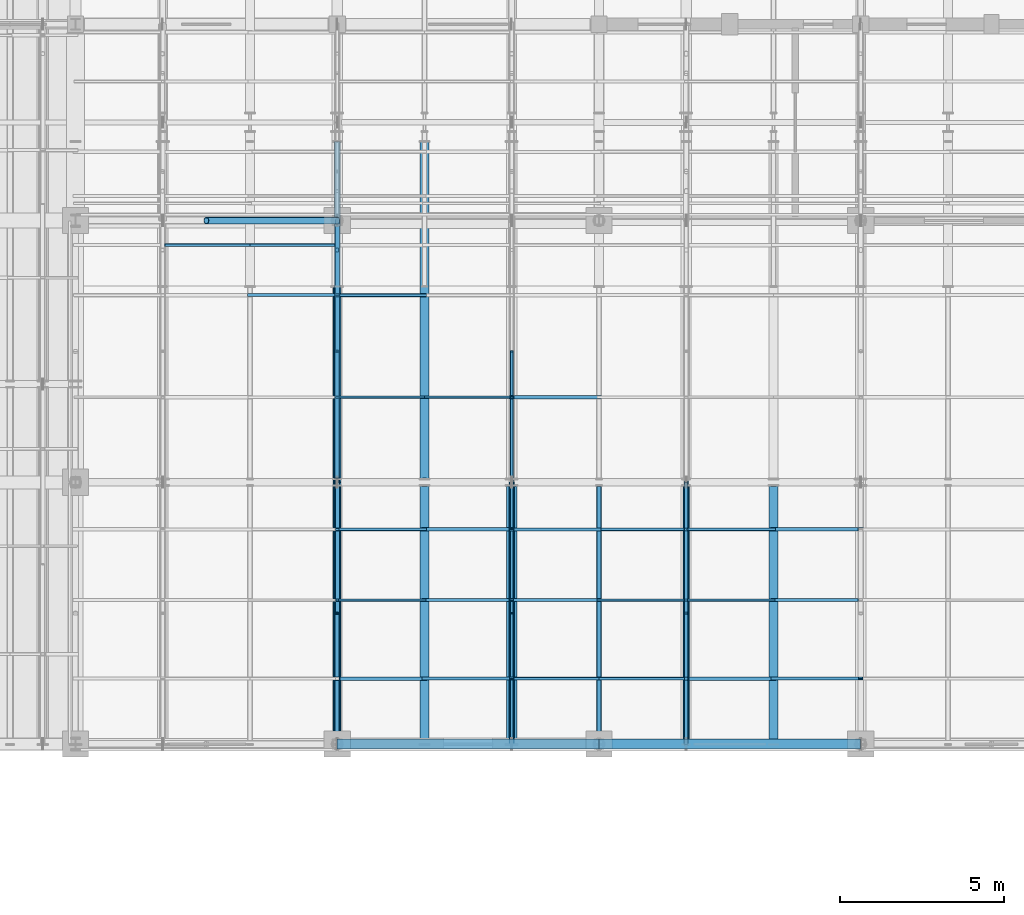
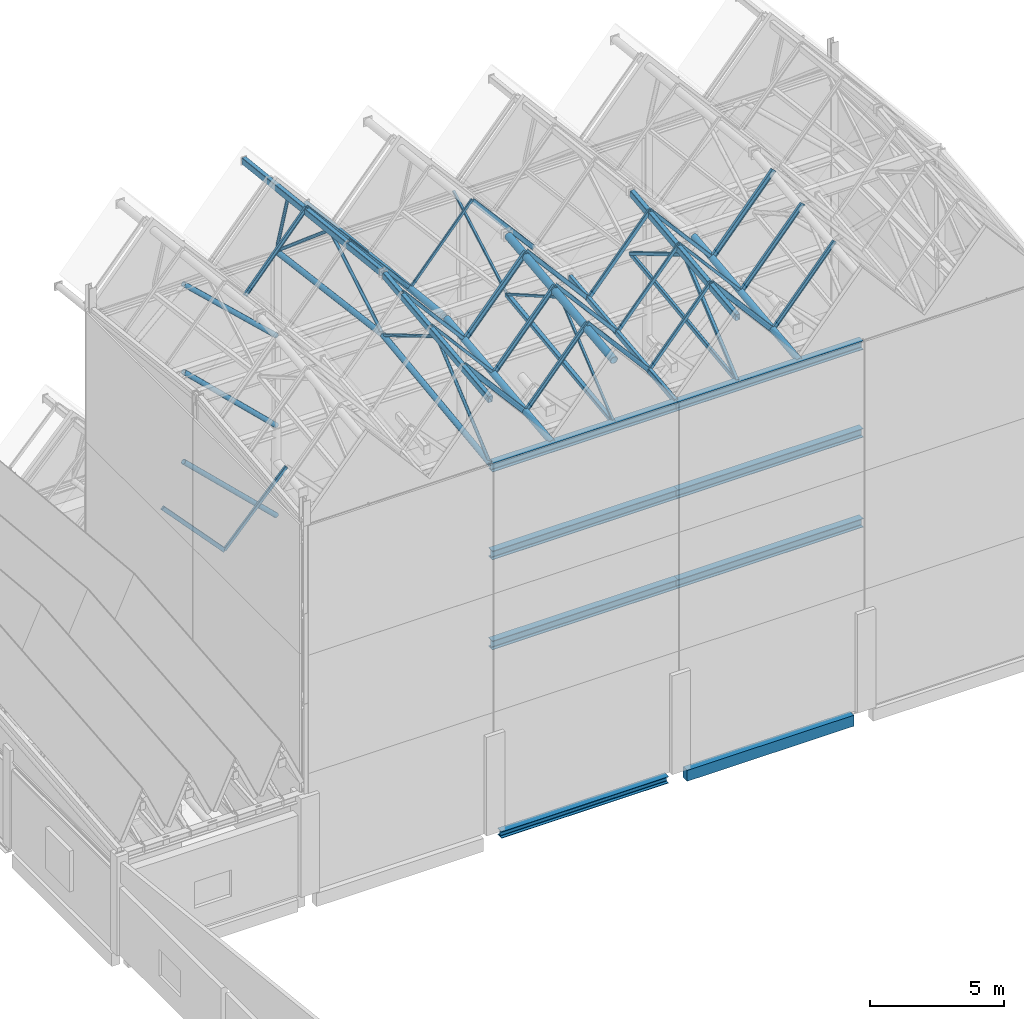
# One storey, part 10 of 48: 42 members, 16 beams.
"""IFC4 building model written with IfcOpenShell, lengths in metres."""

from ifc_helpers import new_model, si_unit, direction, frame, origin, origin_2d, place, context, subcontext, project, spatial, rectangle, hollow_rectangle, hollow_circle, i_section, extrude, material, material_profile, profile_set, type_object, element, save


model = new_model("IFC4")

# Units and contexts
model_context = context("Model", 3, precision=1e-05, world=origin(), true_north=direction((0.0, 1.0)))
body_context = subcontext(model_context, "Body", "Model", "MODEL_VIEW")
ifc_project = project(units=[si_unit("LENGTHUNIT", "METRE"), si_unit("AREAUNIT", "SQUARE_METRE"), si_unit("VOLUMEUNIT", "CUBIC_METRE"), si_unit("PLANEANGLEUNIT", "RADIAN"), si_unit("MASSUNIT", "GRAM", prefix="KILO")], contexts=[model_context])

# Site, building, storey
site_placement = place(None, origin())
site = spatial("IfcSite", under=ifc_project, at=site_placement, CompositionType="ELEMENT")
building_placement = place(site_placement, origin())
building = spatial("IfcBuilding", under=site, at=building_placement, Name="Luwemba Playhouse", CompositionType="ELEMENT")
storey_placement = place(building_placement, frame((0.0, 0.0, 13.800048828125)))
storey = spatial("IfcBuildingStorey", under=building, at=storey_placement, Name="L03", CompositionType="ELEMENT", Elevation=13.800048828125)

# Beams
ifc_material_1 = material(Name="Steel S355", Category="steel")
ifc_material_profile_1 = material_profile(ifc_material_1, hollow_rectangle(XDim=0.14990234375, YDim=0.25, WallThickness=0.010009765625, InnerFilletRadius=0.014892578125, OuterFilletRadius=0.02490234375, at=origin_2d()))
ifc_profile_set_1 = profile_set([ifc_material_profile_1], Name="Steel S355")
beam_type_1 = type_object("IfcBeamType", Name="BM-RTG1", PredefinedType="USERDEFINED", material=ifc_profile_set_1)
beam_1_placement = place(storey_placement, frame((28.0, 68.0, 16.637939453125), z_axis=(0.0, 0.993767688729, 0.111470986529), x_axis=(-1.0, 0.0, 0.0)))
element("IfcBeam", 1, at=beam_1_placement, inside=storey, type_object=beam_type_1, Name="ROOF TRUSS valley girder 0067", ObjectType="ROOF TRUSS", PredefinedType="USERDEFINED", context=body_context, shape_type="SweptSolid", body=[
    extrude(hollow_rectangle(XDim=0.14990234375, YDim=0.25, WallThickness=0.010009765625, InnerFilletRadius=0.014892578125, OuterFilletRadius=0.02490234375, at=origin_2d()), origin(), (0.0, 0.0, 1.0), 7.939453125),
])
ifc_material_profile_2 = material_profile(ifc_material_1, hollow_rectangle(XDim=0.199951171875, YDim=0.300048828125, WallThickness=0.012451171875, InnerFilletRadius=0.018798828125, OuterFilletRadius=0.03125, at=origin_2d()))
ifc_profile_set_2 = profile_set([ifc_material_profile_2], Name="Steel S355")
beam_type_2 = type_object("IfcBeamType", Name="BM-RTG2", PredefinedType="USERDEFINED", material=ifc_profile_set_2)
beam_2_placement = place(storey_placement, frame((20.0, 68.0, 19.54296875), z_axis=(0.0, 0.993771094715, 0.111440617856), x_axis=(-1.0, 0.0, 0.0)))
element("IfcBeam", 2, at=beam_2_placement, inside=storey, type_object=beam_type_2, Name="ROOF TRUSS ridge girder 0061", ObjectType="ROOF TRUSS", PredefinedType="USERDEFINED", context=body_context, shape_type="SweptSolid", body=[
    extrude(hollow_rectangle(XDim=0.199951171875, YDim=0.300048828125, WallThickness=0.012451171875, InnerFilletRadius=0.018798828125, OuterFilletRadius=0.03125, at=origin_2d()), origin(), (0.0, 0.0, 1.0), 7.939453125),
])
beam_3_placement = place(storey_placement, frame((20.0, 76.110107421875, 20.427734375), z_axis=(0.0, 0.993769338701, -0.111456275987), x_axis=(-1.0, 0.0, 0.0)))
element("IfcBeam", 3, at=beam_3_placement, inside=storey, type_object=beam_type_2, Name="ROOF TRUSS ridge girder 0062", ObjectType="ROOF TRUSS", PredefinedType="USERDEFINED", context=body_context, shape_type="SweptSolid", body=[
    extrude(hollow_rectangle(XDim=0.199951171875, YDim=0.300048828125, WallThickness=0.012451171875, InnerFilletRadius=0.018798828125, OuterFilletRadius=0.03125, at=origin_2d()), origin(), (0.0, 0.0, 1.0), 10.354248046875),
])
beam_4_placement = place(storey_placement, frame((30.666748046875, 68.0, 19.54296875), z_axis=(0.0, 0.993771094715, 0.111440617856), x_axis=(-1.0, 0.0, 0.0)))
element("IfcBeam", 4, at=beam_4_placement, inside=storey, type_object=beam_type_2, Name="ROOF TRUSS ridge girder 0069", ObjectType="ROOF TRUSS", PredefinedType="USERDEFINED", context=body_context, shape_type="SweptSolid", body=[
    extrude(hollow_rectangle(XDim=0.199951171875, YDim=0.300048828125, WallThickness=0.012451171875, InnerFilletRadius=0.018798828125, OuterFilletRadius=0.03125, at=origin_2d()), origin(), (0.0, 0.0, 1.0), 7.939453125),
])
ifc_material_profile_3 = material_profile(ifc_material_1, hollow_circle(Radius=0.136474609375, WallThickness=0.012451171875, at=origin_2d()))
ifc_profile_set_3 = profile_set([ifc_material_profile_3], Name="Steel S355")
beam_type_3 = type_object("IfcBeamType", Name="BM-RTG3", PredefinedType="USERDEFINED", material=ifc_profile_set_3)
beam_5_placement = place(storey_placement, frame((22.666748046875, 68.0, 16.62646484375), z_axis=(0.0, 0.993767688729, 0.111470986529), x_axis=(-1.0, 0.0, 0.0)))
element("IfcBeam", 5, at=beam_5_placement, inside=storey, type_object=beam_type_3, Name="ROOF TRUSS valley girder 0063", ObjectType="ROOF TRUSS", PredefinedType="USERDEFINED", context=body_context, shape_type="SweptSolid", body=[
    extrude(hollow_circle(Radius=0.136474609375, WallThickness=0.012451171875, at=origin_2d()), origin(), (0.0, 0.0, 1.0), 7.939453125),
])
beam_6_placement = place(storey_placement, frame((22.666748046875, 76.110107421875, 17.511474609375), z_axis=(0.0, 0.993769338701, -0.111456275987), x_axis=(-1.0, 0.0, 0.0)))
element("IfcBeam", 6, at=beam_6_placement, inside=storey, type_object=beam_type_3, Name="ROOF TRUSS valley girder 0064", ObjectType="ROOF TRUSS", PredefinedType="USERDEFINED", context=body_context, shape_type="SweptSolid", body=[
    extrude(hollow_circle(Radius=0.136474609375, WallThickness=0.012451171875, at=origin_2d()), origin(), (0.0, 0.0, 1.0), 10.354248046875),
])
beam_7_placement = place(storey_placement, frame((33.333251953125, 68.0, 16.62646484375), z_axis=(0.0, 0.993767688729, 0.111470986529), x_axis=(-1.0, 0.0, 0.0)))
element("IfcBeam", 7, at=beam_7_placement, inside=storey, type_object=beam_type_3, Name="ROOF TRUSS valley girder 0071", ObjectType="ROOF TRUSS", PredefinedType="USERDEFINED", context=body_context, shape_type="SweptSolid", body=[
    extrude(hollow_circle(Radius=0.136474609375, WallThickness=0.012451171875, at=origin_2d()), origin(), (0.0, 0.0, 1.0), 7.939453125),
])
ifc_material_profile_4 = material_profile(ifc_material_1, hollow_circle(Radius=0.161865234375, WallThickness=0.01611328125, at=origin_2d()))
ifc_profile_set_4 = profile_set([ifc_material_profile_4], Name="Steel S355")
beam_type_4 = type_object("IfcBeamType", Name="BM-RTG4", PredefinedType="USERDEFINED", material=ifc_profile_set_4)
beam_8_placement = place(storey_placement, frame((25.333251953125, 68.0, 19.458740234375), z_axis=(0.0, 0.993767688729, 0.111470986529), x_axis=(-1.0, 0.0, 0.0)))
element("IfcBeam", 8, at=beam_8_placement, inside=storey, type_object=beam_type_4, Name="ROOF TRUSS ridge girder 0065", ObjectType="ROOF TRUSS", PredefinedType="USERDEFINED", context=body_context, shape_type="SweptSolid", body=[
    extrude(hollow_circle(Radius=0.161865234375, WallThickness=0.01611328125, at=origin_2d()), origin(), (0.0, 0.0, 1.0), 7.939453125),
])
ifc_material_profile_5 = material_profile(ifc_material_1, i_section(OverallWidth=0.300048828125, OverallDepth=0.39990234375, WebThickness=0.013427734375, FlangeThickness=0.02392578125, FilletRadius=0.027099609375, at=origin_2d()))
ifc_profile_set_5 = profile_set([ifc_material_profile_5], Name="Steel S355")
beam_type_5 = type_object("IfcBeamType", Name="BM-SB10", PredefinedType="BEAM", material=ifc_profile_set_5)
for number, where, z_axis, x_axis, name in (
    (9, (20.0, 68.0, 8.39990234375), (1.0, 0.0, 0.0), (0.0, 1.0, 0.0), "Fly tower ring beam 002"),
    (10, (28.0, 68.0, 8.39990234375), (1.0, 0.0, 0.0), (0.0, 1.0, 0.0), "Fly tower ring beam 003"),
    (11, (20.0, 68.0, 12.5), (1.0, 0.0, 0.0), (0.0, 1.0, 0.0), "Fly tower ring beam 014"),
    (12, (28.0, 68.0, 12.5), (1.0, 0.0, 0.0), (0.0, 1.0, 0.0), "Fly tower ring beam 015"),
    (13, (20.0, 68.0, 16.5), (1.0, 0.0, 0.0), (0.0, 1.0, 0.0), "Fly tower ring beam 026"),
    (14, (28.0, 68.0, 16.5), (1.0, 0.0, 0.0), (0.0, 1.0, 0.0), "Fly tower ring beam 027"),
):
    element("IfcBeam", number, at=place(storey_placement, frame(where, z_axis=z_axis, x_axis=x_axis)), inside=storey, type_object=beam_type_5, Name=name, PredefinedType="BEAM", context=body_context, shape_type="SweptSolid", body=[
        extrude(i_section(OverallWidth=0.300048828125, OverallDepth=0.39990234375, WebThickness=0.013427734375, FlangeThickness=0.02392578125, FilletRadius=0.027099609375, at=origin_2d()), origin(), (0.0, 0.0, 1.0), 8.0),
    ])
ifc_material_2 = material(Name="Concrete C40/50", Category="concrete")
ifc_material_profile_6 = material_profile(ifc_material_2, rectangle(XDim=0.300048828125, YDim=0.5, at=origin_2d()))
ifc_profile_set_6 = profile_set([ifc_material_profile_6], Name="Concrete C40/50")
beam_type_6 = type_object("IfcBeamType", Name="BM-SP1", PredefinedType="SPANDREL", material=ifc_profile_set_6)
beam_9_placement = place(storey_placement, frame((28.39990234375, 68.0, -0.47998046875), z_axis=(1.0, 0.0, 0.0), x_axis=(0.0, 1.0, 0.0)))
element("IfcBeam", 15, at=beam_9_placement, inside=storey, type_object=beam_type_6, Name="L03 grid girder 0832", PredefinedType="SPANDREL", context=body_context, shape_type="SweptSolid", body=[
    extrude(rectangle(XDim=0.300048828125, YDim=0.5, at=origin_2d()), origin(), (0.0, 0.0, 1.0), 7.2001953125),
])
ifc_material_profile_7 = material_profile(ifc_material_1, i_section(OverallWidth=0.300048828125, OverallDepth=0.300048828125, WebThickness=0.010986328125, FlangeThickness=0.01904296875, FilletRadius=0.027099609375, at=origin_2d()))
ifc_profile_set_7 = profile_set([ifc_material_profile_7], Name="Steel S355")
beam_type_7 = type_object("IfcBeamType", Name="BM-SSP1", PredefinedType="SPANDREL", material=ifc_profile_set_7)
beam_10_placement = place(storey_placement, frame((20.39990234375, 68.0, -0.380126953125), z_axis=(1.0, 0.0, 0.0), x_axis=(0.0, 1.0, 0.0)))
element("IfcBeam", 16, at=beam_10_placement, inside=storey, type_object=beam_type_7, Name="L03 grid girder 0831", PredefinedType="SPANDREL", context=body_context, shape_type="SweptSolid", body=[
    extrude(i_section(OverallWidth=0.300048828125, OverallDepth=0.300048828125, WebThickness=0.010986328125, FlangeThickness=0.01904296875, FilletRadius=0.027099609375, at=origin_2d()), origin(), (0.0, 0.0, 1.0), 7.2001953125),
])

# Members
ifc_material_profile_8 = material_profile(ifc_material_1, hollow_circle(Radius=0.06982421875, WallThickness=0.008056640625, at=origin_2d()))
ifc_profile_set_8 = profile_set([ifc_material_profile_8], Name="Steel S355")
member_type_1 = type_object("IfcMemberType", Name="MEM-MB01", PredefinedType="BRACE", material=ifc_profile_set_8)
member_1_placement = place(storey_placement, frame((20.0, 68.0, 16.599853515625), z_axis=(0.0, 0.762729007744, 0.646718223607), x_axis=(-1.0, 0.0, 0.0)))
element("IfcMember", 17, at=member_1_placement, inside=storey, type_object=member_type_1, Name="ROOF TRUSS web diagonal 0051", PredefinedType="BRACE", context=body_context, shape_type="SweptSolid", body=[
    extrude(hollow_circle(Radius=0.06982421875, WallThickness=0.008056640625, at=origin_2d()), origin(), (0.0, 0.0, 1.0), 5.244384765625),
])
for number, where, z_axis, x_axis, name in (
    (18, (20.0, 76.0, 17.6171875), (0.0, -0.859923857773, 0.510422333792), (1.0, 0.0, 0.0), "ROOF TRUSS web diagonal 0052"),
    (19, (20.0, 76.0, 17.6171875), (0.0, 0.859923857773, 0.510422333792), (-1.0, 0.0, 0.0), "ROOF TRUSS web diagonal 0053"),
):
    element("IfcMember", number, at=place(storey_placement, frame(where, z_axis=z_axis, x_axis=x_axis)), inside=storey, type_object=member_type_1, Name=name, PredefinedType="BRACE", context=body_context, shape_type="SweptSolid", body=[
        extrude(hollow_circle(Radius=0.06982421875, WallThickness=0.008056640625, at=origin_2d()), origin(), (0.0, 0.0, 1.0), 4.651611328125),
    ])
member_2_placement = place(storey_placement, frame((20.0, 84.0, 16.599853515625), z_axis=(0.0, -0.762729007744, 0.646718223607), x_axis=(1.0, 0.0, 0.0)))
element("IfcMember", 20, at=member_2_placement, inside=storey, type_object=member_type_1, Name="ROOF TRUSS web diagonal 0054", PredefinedType="BRACE", context=body_context, shape_type="SweptSolid", body=[
    extrude(hollow_circle(Radius=0.06982421875, WallThickness=0.008056640625, at=origin_2d()), origin(), (0.0, 0.0, 1.0), 5.244384765625),
])
member_3_placement = place(storey_placement, frame((20.0, 84.0, 16.599853515625), z_axis=(0.0, -0.283506908472, 0.958970193931), x_axis=(1.0, 0.0, 0.0)))
element("IfcMember", 21, at=member_3_placement, inside=storey, type_object=member_type_1, Name="ROOF TRUSS eave knee strut 0009", PredefinedType="BRACE", context=body_context, shape_type="SweptSolid", body=[
    extrude(hollow_circle(Radius=0.06982421875, WallThickness=0.008056640625, at=origin_2d()), origin(), (0.0, 0.0, 1.0), 3.174072265625),
])
ifc_material_profile_9 = material_profile(ifc_material_1, hollow_circle(Radius=0.109619140625, WallThickness=0.012451171875, at=origin_2d()))
ifc_profile_set_9 = profile_set([ifc_material_profile_9], Name="Steel S355")
member_type_2 = type_object("IfcMemberType", Name="MEM-MB04", PredefinedType="BRACE", material=ifc_profile_set_9)
for number, where, z_axis, x_axis, name in (
    (22, (20.0, 84.0, 4.550048828125), (-0.720500036349, 0.0, 0.693454899486), (0.0, -1.0, 0.0), "Fly tower lateral brace 006"),
    (23, (20.0, 84.0, 8.64990234375), (-0.720478064824, 0.0, 0.693477727189), (0.0, -1.0, 0.0), "Fly tower lateral brace 022"),
):
    element("IfcMember", number, at=place(storey_placement, frame(where, z_axis=z_axis, x_axis=x_axis)), inside=storey, type_object=member_type_2, Name=name, PredefinedType="BRACE", context=body_context, shape_type="SweptSolid", body=[
        extrude(hollow_circle(Radius=0.109619140625, WallThickness=0.012451171875, at=origin_2d()), origin(), (0.0, 0.0, 1.0), 5.5517578125),
    ])
member_4_placement = place(storey_placement, frame((20.0, 84.0, 12.75), z_axis=(-0.72953720414, 0.0, 0.683941128881), x_axis=(0.0, -1.0, 0.0)))
element("IfcMember", 24, at=member_4_placement, inside=storey, type_object=member_type_2, Name="Fly tower lateral brace 038", PredefinedType="BRACE", context=body_context, shape_type="SweptSolid", body=[
    extrude(hollow_circle(Radius=0.109619140625, WallThickness=0.012451171875, at=origin_2d()), origin(), (0.0, 0.0, 1.0), 5.48291015625),
])
ifc_material_profile_10 = material_profile(ifc_material_1, hollow_rectangle(XDim=0.10009765625, YDim=0.10009765625, WallThickness=0.00634765625, InnerFilletRadius=0.009521484375, OuterFilletRadius=0.015869140625, at=origin_2d()))
ifc_profile_set_10 = profile_set([ifc_material_profile_10], Name="Steel S355")
member_type_3 = type_object("IfcMemberType", Name="MEM-MB05", PredefinedType="BRACE", material=ifc_profile_set_10)
member_5_placement = place(storey_placement, frame((25.333251953125, 68.0, 16.599853515625), z_axis=(0.0, 0.770652379967, 0.637255764392), x_axis=(-1.0, 0.0, 0.0)))
element("IfcMember", 25, at=member_5_placement, inside=storey, type_object=member_type_3, Name="ROOF TRUSS web diagonal 0057", PredefinedType="BRACE", context=body_context, shape_type="SweptSolid", body=[
    extrude(hollow_rectangle(XDim=0.10009765625, YDim=0.10009765625, WallThickness=0.00634765625, InnerFilletRadius=0.009521484375, OuterFilletRadius=0.015869140625, at=origin_2d()), origin(), (0.0, 0.0, 1.0), 5.1904296875),
])
for number, where, z_axis, x_axis, name in (
    (26, (25.333251953125, 76.0, 17.6171875), (0.0, -0.86781582285, 0.49688600062), (1.0, 0.0, 0.0), "ROOF TRUSS web diagonal 0058"),
    (27, (25.333251953125, 76.0, 17.6171875), (0.0, 0.86781582285, 0.49688600062), (-1.0, 0.0, 0.0), "ROOF TRUSS web diagonal 0059"),
):
    element("IfcMember", number, at=place(storey_placement, frame(where, z_axis=z_axis, x_axis=x_axis)), inside=storey, type_object=member_type_3, Name=name, PredefinedType="BRACE", context=body_context, shape_type="SweptSolid", body=[
        extrude(hollow_rectangle(XDim=0.10009765625, YDim=0.10009765625, WallThickness=0.00634765625, InnerFilletRadius=0.009521484375, OuterFilletRadius=0.015869140625, at=origin_2d()), origin(), (0.0, 0.0, 1.0), 4.609375),
    ])
ifc_material_profile_11 = material_profile(ifc_material_1, hollow_rectangle(XDim=0.139892578125, YDim=0.139892578125, WallThickness=0.008056640625, InnerFilletRadius=0.011962890625, OuterFilletRadius=0.02001953125, at=origin_2d()))
ifc_profile_set_11 = profile_set([ifc_material_profile_11], Name="Steel S355")
member_type_4 = type_object("IfcMemberType", Name="MEM-MB07", PredefinedType="BRACE", material=ifc_profile_set_11)
member_6_placement = place(storey_placement, frame((30.666748046875, 68.0, 16.599853515625), z_axis=(0.0, 0.762729007744, 0.646718223607), x_axis=(-1.0, 0.0, 0.0)))
element("IfcMember", 28, at=member_6_placement, inside=storey, type_object=member_type_4, Name="ROOF TRUSS web diagonal 0063", PredefinedType="BRACE", context=body_context, shape_type="SweptSolid", body=[
    extrude(hollow_rectangle(XDim=0.139892578125, YDim=0.139892578125, WallThickness=0.008056640625, InnerFilletRadius=0.011962890625, OuterFilletRadius=0.02001953125, at=origin_2d()), origin(), (0.0, 0.0, 1.0), 5.244384765625),
])
member_7_placement = place(storey_placement, frame((30.666748046875, 76.0, 17.6171875), z_axis=(0.0, -0.859923857773, 0.510422333792), x_axis=(1.0, 0.0, 0.0)))
element("IfcMember", 29, at=member_7_placement, inside=storey, type_object=member_type_4, Name="ROOF TRUSS web diagonal 0064", PredefinedType="BRACE", context=body_context, shape_type="SweptSolid", body=[
    extrude(hollow_rectangle(XDim=0.139892578125, YDim=0.139892578125, WallThickness=0.008056640625, InnerFilletRadius=0.011962890625, OuterFilletRadius=0.02001953125, at=origin_2d()), origin(), (0.0, 0.0, 1.0), 4.651611328125),
])
ifc_material_profile_12 = material_profile(ifc_material_1, hollow_circle(Radius=0.122314453125, WallThickness=0.012451171875, at=origin_2d()))
ifc_profile_set_12 = profile_set([ifc_material_profile_12], Name="Steel S355")
member_type_5 = type_object("IfcMemberType", Name="MEM-MC01", PredefinedType="CHORD", material=ifc_profile_set_12)
for number, where, z_axis, x_axis, name in (
    (30, (20.0, 68.0, 16.599853515625), (0.0, 0.99201107355, 0.12615082225), (-1.0, 0.0, 0.0), "ROOF TRUSS south bottom chord 0049"),
    (31, (20.0, 76.0, 17.6171875), (0.0, 0.99201107355, -0.12615082225), (-1.0, 0.0, 0.0), "ROOF TRUSS north bottom chord 0050"),
):
    element("IfcMember", number, at=place(storey_placement, frame(where, z_axis=z_axis, x_axis=x_axis)), inside=storey, type_object=member_type_5, Name=name, PredefinedType="CHORD", context=body_context, shape_type="SweptSolid", body=[
        extrude(hollow_circle(Radius=0.122314453125, WallThickness=0.012451171875, at=origin_2d()), origin(), (0.0, 0.0, 1.0), 8.064453125),
    ])
ifc_material_profile_13 = material_profile(ifc_material_1, hollow_rectangle(XDim=0.179931640625, YDim=0.179931640625, WallThickness=0.010009765625, InnerFilletRadius=0.014892578125, OuterFilletRadius=0.02490234375, at=origin_2d()))
ifc_profile_set_13 = profile_set([ifc_material_profile_13], Name="Steel S355")
member_type_6 = type_object("IfcMemberType", Name="MEM-MC03", PredefinedType="CHORD", material=ifc_profile_set_13)
member_8_placement = place(storey_placement, frame((25.333251953125, 68.0, 16.599853515625), z_axis=(0.0, 0.99201107355, 0.12615082225), x_axis=(-1.0, 0.0, 0.0)))
element("IfcMember", 32, at=member_8_placement, inside=storey, type_object=member_type_6, Name="ROOF TRUSS south bottom chord 0055", PredefinedType="CHORD", context=body_context, shape_type="SweptSolid", body=[
    extrude(hollow_rectangle(XDim=0.179931640625, YDim=0.179931640625, WallThickness=0.010009765625, InnerFilletRadius=0.014892578125, OuterFilletRadius=0.02490234375, at=origin_2d()), origin(), (0.0, 0.0, 1.0), 8.064453125),
])
ifc_material_profile_14 = material_profile(ifc_material_1, hollow_rectangle(XDim=0.1201171875, YDim=0.199951171875, WallThickness=0.010009765625, InnerFilletRadius=0.014892578125, OuterFilletRadius=0.02490234375, at=origin_2d()))
ifc_profile_set_14 = profile_set([ifc_material_profile_14], Name="Steel S355")
member_type_7 = type_object("IfcMemberType", Name="MEM-MC05", PredefinedType="CHORD", material=ifc_profile_set_14)
member_9_placement = place(storey_placement, frame((30.666748046875, 68.0, 16.599853515625), z_axis=(0.0, 0.99201107355, 0.12615082225), x_axis=(-1.0, 0.0, 0.0)))
element("IfcMember", 33, at=member_9_placement, inside=storey, type_object=member_type_7, Name="ROOF TRUSS south bottom chord 0061", PredefinedType="CHORD", context=body_context, shape_type="SweptSolid", body=[
    extrude(hollow_rectangle(XDim=0.1201171875, YDim=0.199951171875, WallThickness=0.010009765625, InnerFilletRadius=0.014892578125, OuterFilletRadius=0.02490234375, at=origin_2d()), origin(), (0.0, 0.0, 1.0), 8.064453125),
])
ifc_material_profile_15 = material_profile(ifc_material_1, hollow_rectangle(XDim=0.080078125, YDim=0.1201171875, WallThickness=0.00634765625, InnerFilletRadius=0.009521484375, OuterFilletRadius=0.015869140625, at=origin_2d()))
ifc_profile_set_15 = profile_set([ifc_material_profile_15], Name="Steel S355")
member_type_8 = type_object("IfcMemberType", Name="MEM-MP01", PredefinedType="PURLIN", material=ifc_profile_set_15)
member_10_placement = place(storey_placement, frame((20.0, 72.39990234375, 20.2578125), z_axis=(0.651808038275, 0.0, -0.758383993265), x_axis=(0.0, 1.0, 0.0)))
element("IfcMember", 34, at=member_10_placement, inside=storey, type_object=member_type_8, Name="Pleated roof purlin 0104", PredefinedType="PURLIN", context=body_context, shape_type="SweptSolid", body=[
    extrude(hollow_rectangle(XDim=0.080078125, YDim=0.1201171875, WallThickness=0.00634765625, InnerFilletRadius=0.009521484375, OuterFilletRadius=0.015869140625, at=origin_2d()), origin(), (0.0, 0.0, 1.0), 4.09130859375),
])
for number, where, z_axis, x_axis, name in (
    (35, (22.666748046875, 78.60009765625, 17.267333984375), (0.651803214757, 0.0, 0.758388138906), (0.0, 1.0, 0.0), "Pleated roof purlin 0112"),
    (36, (30.666748046875, 72.39990234375, 20.257568359375), (0.651803214757, 0.0, -0.758388138906), (0.0, 1.0, 0.0), "Pleated roof purlin 0128"),
):
    element("IfcMember", number, at=place(storey_placement, frame(where, z_axis=z_axis, x_axis=x_axis)), inside=storey, type_object=member_type_8, Name=name, PredefinedType="PURLIN", context=body_context, shape_type="SweptSolid", body=[
        extrude(hollow_rectangle(XDim=0.080078125, YDim=0.1201171875, WallThickness=0.00634765625, InnerFilletRadius=0.009521484375, OuterFilletRadius=0.015869140625, at=origin_2d()), origin(), (0.0, 0.0, 1.0), 4.091064453125),
    ])
ifc_material_profile_16 = material_profile(ifc_material_1, hollow_rectangle(XDim=0.10009765625, YDim=0.14990234375, WallThickness=0.008056640625, InnerFilletRadius=0.011962890625, OuterFilletRadius=0.02001953125, at=origin_2d()))
ifc_profile_set_16 = profile_set([ifc_material_profile_16], Name="Steel S355")
member_type_9 = type_object("IfcMemberType", Name="MEM-MP02", PredefinedType="PURLIN", material=ifc_profile_set_16)
for number, where, z_axis, x_axis, name in (
    (37, (20.0, 74.56005859375, 20.473388671875), (0.651808038275, 0.0, -0.758383993265), (0.0, 1.0, 0.0), "Pleated roof purlin 0105"),
    (38, (28.0, 70.0, 16.859130859375), (0.651808038275, 0.0, 0.758383993265), (0.0, 1.0, 0.0), "Pleated roof purlin 0121"),
):
    element("IfcMember", number, at=place(storey_placement, frame(where, z_axis=z_axis, x_axis=x_axis)), inside=storey, type_object=member_type_9, Name=name, PredefinedType="PURLIN", context=body_context, shape_type="SweptSolid", body=[
        extrude(hollow_rectangle(XDim=0.10009765625, YDim=0.14990234375, WallThickness=0.008056640625, InnerFilletRadius=0.011962890625, OuterFilletRadius=0.02001953125, at=origin_2d()), origin(), (0.0, 0.0, 1.0), 4.09130859375),
    ])
member_11_placement = place(storey_placement, frame((30.666748046875, 74.56005859375, 20.473388671875), z_axis=(0.651803214757, 0.0, -0.758388138906), x_axis=(0.0, 1.0, 0.0)))
element("IfcMember", 39, at=member_11_placement, inside=storey, type_object=member_type_9, Name="Pleated roof purlin 0129", PredefinedType="PURLIN", context=body_context, shape_type="SweptSolid", body=[
    extrude(hollow_rectangle(XDim=0.10009765625, YDim=0.14990234375, WallThickness=0.008056640625, InnerFilletRadius=0.011962890625, OuterFilletRadius=0.02001953125, at=origin_2d()), origin(), (0.0, 0.0, 1.0), 4.091064453125),
])
member_12_placement = place(storey_placement, frame((17.333251953125, 83.25, 4.3671875), z_axis=(0.681515329976, 0.0, 0.731803836426), x_axis=(0.0, 1.0, 0.0)))
element("IfcMember", 40, at=member_12_placement, inside=storey, type_object=member_type_9, Name="Pleated roof purlin 0217", PredefinedType="PURLIN", context=body_context, shape_type="SweptSolid", body=[
    extrude(hollow_rectangle(XDim=0.10009765625, YDim=0.14990234375, WallThickness=0.008056640625, InnerFilletRadius=0.011962890625, OuterFilletRadius=0.02001953125, at=origin_2d()), origin(), (0.0, 0.0, 1.0), 3.9130859375),
])
ifc_material_profile_17 = material_profile(ifc_material_1, hollow_rectangle(XDim=0.080078125, YDim=0.159912109375, WallThickness=0.00634765625, InnerFilletRadius=0.009521484375, OuterFilletRadius=0.015869140625, at=origin_2d()))
ifc_profile_set_17 = profile_set([ifc_material_profile_17], Name="Steel S355")
member_type_10 = type_object("IfcMemberType", Name="MEM-MP03", PredefinedType="PURLIN", material=ifc_profile_set_17)
for number, where, z_axis, x_axis, name in (
    (41, (20.0, 78.60009765625, 20.349853515625), (0.651808038275, 0.0, -0.758383993265), (0.0, 1.0, 0.0), "Pleated roof purlin 0106"),
    (42, (28.0, 72.39990234375, 17.135009765625), (0.651808038275, 0.0, 0.758383993265), (0.0, 1.0, 0.0), "Pleated roof purlin 0122"),
):
    element("IfcMember", number, at=place(storey_placement, frame(where, z_axis=z_axis, x_axis=x_axis)), inside=storey, type_object=member_type_10, Name=name, PredefinedType="PURLIN", context=body_context, shape_type="SweptSolid", body=[
        extrude(hollow_rectangle(XDim=0.080078125, YDim=0.159912109375, WallThickness=0.00634765625, InnerFilletRadius=0.009521484375, OuterFilletRadius=0.015869140625, at=origin_2d()), origin(), (0.0, 0.0, 1.0), 4.09130859375),
    ])
ifc_material_profile_18 = material_profile(ifc_material_1, hollow_rectangle(XDim=0.10009765625, YDim=0.179931640625, WallThickness=0.008056640625, InnerFilletRadius=0.011962890625, OuterFilletRadius=0.02001953125, at=origin_2d()))
ifc_profile_set_18 = profile_set([ifc_material_profile_18], Name="Steel S355")
member_type_11 = type_object("IfcMemberType", Name="MEM-MP04", PredefinedType="PURLIN", material=ifc_profile_set_18)
for number, where, z_axis, x_axis, name in (
    (43, (20.0, 81.719970703125, 19.978271484375), (0.651808038275, 0.0, -0.758383993265), (0.0, 1.0, 0.0), "Pleated roof purlin 0107"),
    (44, (25.333251953125, 70.0, 19.947021484375), (0.651808038275, 0.0, -0.758383993265), (0.0, 1.0, 0.0), "Pleated roof purlin 0115"),
    (45, (28.0, 74.56005859375, 17.355712890625), (0.651808038275, 0.0, 0.758383993265), (0.0, 1.0, 0.0), "Pleated roof purlin 0123"),
):
    element("IfcMember", number, at=place(storey_placement, frame(where, z_axis=z_axis, x_axis=x_axis)), inside=storey, type_object=member_type_11, Name=name, PredefinedType="PURLIN", context=body_context, shape_type="SweptSolid", body=[
        extrude(hollow_rectangle(XDim=0.10009765625, YDim=0.179931640625, WallThickness=0.008056640625, InnerFilletRadius=0.011962890625, OuterFilletRadius=0.02001953125, at=origin_2d()), origin(), (0.0, 0.0, 1.0), 4.09130859375),
    ])
member_13_placement = place(storey_placement, frame((14.666748046875, 83.25, 7.2158203125), z_axis=(0.68148191426, 0.0, -0.731834954437), x_axis=(0.0, 1.0, 0.0)))
element("IfcMember", 46, at=member_13_placement, inside=storey, type_object=member_type_11, Name="Pleated roof purlin 0211", PredefinedType="PURLIN", context=body_context, shape_type="SweptSolid", body=[
    extrude(hollow_rectangle(XDim=0.10009765625, YDim=0.179931640625, WallThickness=0.008056640625, InnerFilletRadius=0.011962890625, OuterFilletRadius=0.02001953125, at=origin_2d()), origin(), (0.0, 0.0, 1.0), 3.912841796875),
])
ifc_material_profile_19 = material_profile(ifc_material_1, i_section(OverallWidth=0.08203125, OverallDepth=0.159912109375, WebThickness=0.0048828125, FlangeThickness=0.00732421875, FilletRadius=0.009033203125, at=origin_2d()))
ifc_profile_set_19 = profile_set([ifc_material_profile_19], Name="Steel S355")
member_type_12 = type_object("IfcMemberType", Name="MEM-MP05", PredefinedType="PURLIN", material=ifc_profile_set_19)
member_14_placement = place(storey_placement, frame((25.333251953125, 72.39990234375, 20.236572265625), z_axis=(0.651808038275, 0.0, -0.758383993265), x_axis=(0.0, 1.0, 0.0)))
element("IfcMember", 47, at=member_14_placement, inside=storey, type_object=member_type_12, Name="Pleated roof purlin 0116", PredefinedType="PURLIN", context=body_context, shape_type="SweptSolid", body=[
    extrude(i_section(OverallWidth=0.08203125, OverallDepth=0.159912109375, WebThickness=0.0048828125, FlangeThickness=0.00732421875, FilletRadius=0.009033203125, at=origin_2d()), origin(), (0.0, 0.0, 1.0), 4.09130859375),
])
ifc_material_profile_20 = material_profile(ifc_material_1, i_section(OverallWidth=0.091064453125, OverallDepth=0.179931640625, WebThickness=0.00537109375, FlangeThickness=0.008056640625, FilletRadius=0.009033203125, at=origin_2d()))
ifc_profile_set_20 = profile_set([ifc_material_profile_20], Name="Steel S355")
member_type_13 = type_object("IfcMemberType", Name="MEM-MP06", PredefinedType="PURLIN", material=ifc_profile_set_20)
member_15_placement = place(storey_placement, frame((17.333251953125, 81.719970703125, 16.880859375), z_axis=(0.651808038275, 0.0, 0.758383993265), x_axis=(0.0, 1.0, 0.0)))
element("IfcMember", 48, at=member_15_placement, inside=storey, type_object=member_type_13, Name="Pleated roof purlin 0101", PredefinedType="PURLIN", context=body_context, shape_type="SweptSolid", body=[
    extrude(i_section(OverallWidth=0.091064453125, OverallDepth=0.179931640625, WebThickness=0.00537109375, FlangeThickness=0.008056640625, FilletRadius=0.009033203125, at=origin_2d()), origin(), (0.0, 0.0, 1.0), 4.09130859375),
])
member_16_placement = place(storey_placement, frame((22.666748046875, 70.0, 16.849365234375), z_axis=(0.651773715576, 0.0, 0.758413491233), x_axis=(0.0, 1.0, 0.0)))
element("IfcMember", 49, at=member_16_placement, inside=storey, type_object=member_type_13, Name="Pleated roof purlin 0109", PredefinedType="PURLIN", context=body_context, shape_type="SweptSolid", body=[
    extrude(i_section(OverallWidth=0.091064453125, OverallDepth=0.179931640625, WebThickness=0.00537109375, FlangeThickness=0.008056640625, FilletRadius=0.009033203125, at=origin_2d()), origin(), (0.0, 0.0, 1.0), 4.091064453125),
])
for number, where, z_axis, x_axis, name in (
    (50, (25.333251953125, 74.56005859375, 20.463623046875), (0.651808038275, 0.0, -0.758383993265), (0.0, 1.0, 0.0), "Pleated roof purlin 0117"),
    (51, (33.333251953125, 70.0, 16.849365234375), (0.651808038275, 0.0, 0.758383993265), (0.0, 1.0, 0.0), "Pleated roof purlin 0133"),
):
    element("IfcMember", number, at=place(storey_placement, frame(where, z_axis=z_axis, x_axis=x_axis)), inside=storey, type_object=member_type_13, Name=name, PredefinedType="PURLIN", context=body_context, shape_type="SweptSolid", body=[
        extrude(i_section(OverallWidth=0.091064453125, OverallDepth=0.179931640625, WebThickness=0.00537109375, FlangeThickness=0.008056640625, FilletRadius=0.009033203125, at=origin_2d()), origin(), (0.0, 0.0, 1.0), 4.09130859375),
    ])
ifc_material_profile_21 = material_profile(ifc_material_1, i_section(OverallWidth=0.10009765625, OverallDepth=0.199951171875, WebThickness=0.005615234375, FlangeThickness=0.008544921875, FilletRadius=0.011962890625, at=origin_2d()))
ifc_profile_set_21 = profile_set([ifc_material_profile_21], Name="Steel S355")
member_type_14 = type_object("IfcMemberType", Name="MEM-MP07", PredefinedType="PURLIN", material=ifc_profile_set_21)
member_17_placement = place(storey_placement, frame((22.666748046875, 72.39990234375, 17.103515625), z_axis=(0.651803214757, 0.0, 0.758388138906), x_axis=(0.0, 1.0, 0.0)))
element("IfcMember", 52, at=member_17_placement, inside=storey, type_object=member_type_14, Name="Pleated roof purlin 0110", PredefinedType="PURLIN", context=body_context, shape_type="SweptSolid", body=[
    extrude(i_section(OverallWidth=0.10009765625, OverallDepth=0.199951171875, WebThickness=0.005615234375, FlangeThickness=0.008544921875, FilletRadius=0.011962890625, at=origin_2d()), origin(), (0.0, 0.0, 1.0), 4.091064453125),
])
for number, where, z_axis, x_axis, name in (
    (53, (25.333251953125, 78.60009765625, 20.318359375), (0.651808038275, 0.0, -0.758383993265), (0.0, 1.0, 0.0), "Pleated roof purlin 0118"),
    (54, (33.333251953125, 72.39990234375, 17.103271484375), (0.651808038275, 0.0, 0.758383993265), (0.0, 1.0, 0.0), "Pleated roof purlin 0134"),
):
    element("IfcMember", number, at=place(storey_placement, frame(where, z_axis=z_axis, x_axis=x_axis)), inside=storey, type_object=member_type_14, Name=name, PredefinedType="PURLIN", context=body_context, shape_type="SweptSolid", body=[
        extrude(i_section(OverallWidth=0.10009765625, OverallDepth=0.199951171875, WebThickness=0.005615234375, FlangeThickness=0.008544921875, FilletRadius=0.011962890625, at=origin_2d()), origin(), (0.0, 0.0, 1.0), 4.09130859375),
    ])
ifc_material_profile_22 = material_profile(ifc_material_1, i_section(OverallWidth=0.110107421875, OverallDepth=0.219970703125, WebThickness=0.005859375, FlangeThickness=0.00927734375, FilletRadius=0.011962890625, at=origin_2d()))
ifc_profile_set_22 = profile_set([ifc_material_profile_22], Name="Steel S355")
member_type_15 = type_object("IfcMemberType", Name="MEM-MP08", PredefinedType="PURLIN", material=ifc_profile_set_22)
member_18_placement = place(storey_placement, frame((20.0, 70.0, 19.921142578125), z_axis=(0.651808038275, 0.0, -0.758383993265), x_axis=(0.0, 1.0, 0.0)))
element("IfcMember", 55, at=member_18_placement, inside=storey, type_object=member_type_15, Name="Pleated roof purlin 0103", PredefinedType="PURLIN", context=body_context, shape_type="SweptSolid", body=[
    extrude(i_section(OverallWidth=0.110107421875, OverallDepth=0.219970703125, WebThickness=0.005859375, FlangeThickness=0.00927734375, FilletRadius=0.011962890625, at=origin_2d()), origin(), (0.0, 0.0, 1.0), 4.09130859375),
])
for number, where, z_axis, x_axis, name in (
    (56, (22.666748046875, 74.56005859375, 17.329833984375), (0.651773715576, 0.0, 0.758413491233), (0.0, 1.0, 0.0), "Pleated roof purlin 0111"),
    (57, (30.666748046875, 70.0, 19.921142578125), (0.651773715576, 0.0, -0.758413491233), (0.0, 1.0, 0.0), "Pleated roof purlin 0127"),
):
    element("IfcMember", number, at=place(storey_placement, frame(where, z_axis=z_axis, x_axis=x_axis)), inside=storey, type_object=member_type_15, Name=name, PredefinedType="PURLIN", context=body_context, shape_type="SweptSolid", body=[
        extrude(i_section(OverallWidth=0.110107421875, OverallDepth=0.219970703125, WebThickness=0.005859375, FlangeThickness=0.00927734375, FilletRadius=0.011962890625, at=origin_2d()), origin(), (0.0, 0.0, 1.0), 4.091064453125),
    ])
member_19_placement = place(storey_placement, frame((33.333251953125, 74.56005859375, 17.329833984375), z_axis=(0.651808038275, 0.0, 0.758383993265), x_axis=(0.0, 1.0, 0.0)))
element("IfcMember", 58, at=member_19_placement, inside=storey, type_object=member_type_15, Name="Pleated roof purlin 0135", PredefinedType="PURLIN", context=body_context, shape_type="SweptSolid", body=[
    extrude(i_section(OverallWidth=0.110107421875, OverallDepth=0.219970703125, WebThickness=0.005859375, FlangeThickness=0.00927734375, FilletRadius=0.011962890625, at=origin_2d()), origin(), (0.0, 0.0, 1.0), 4.09130859375),
])

save(model, "model.ifc")
